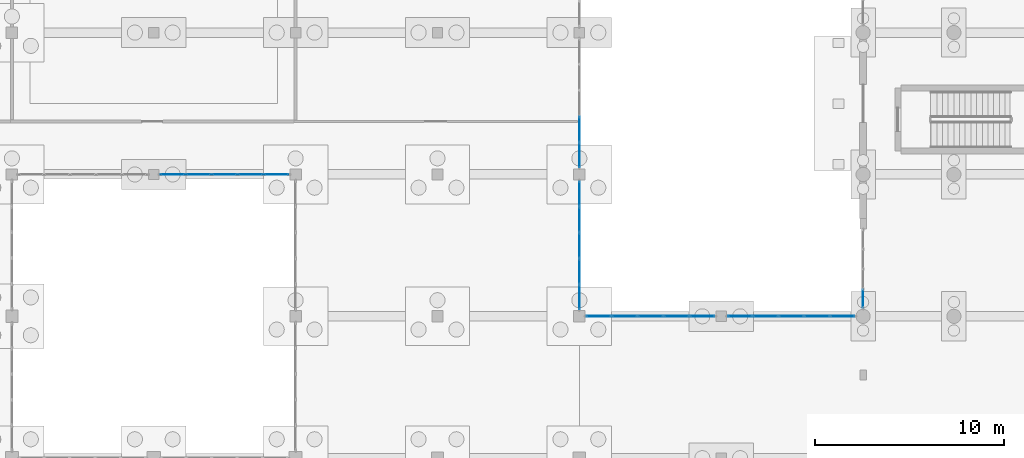
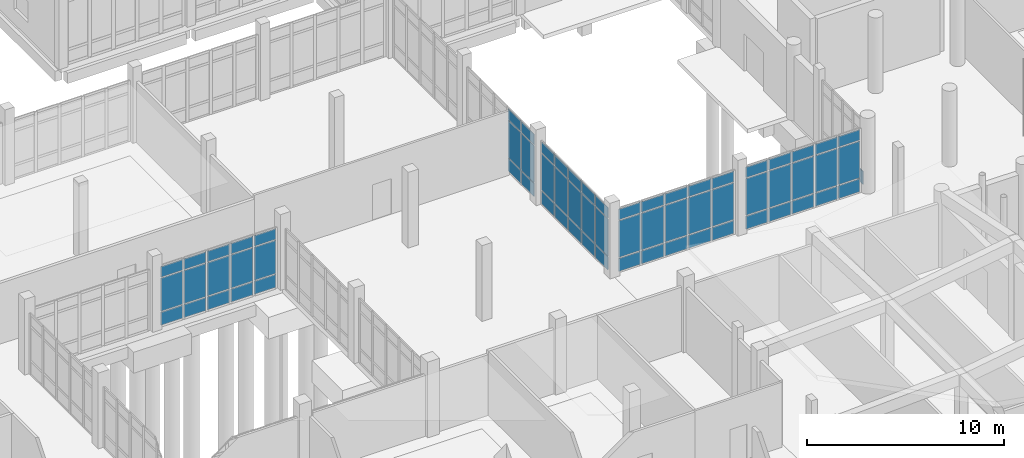
# One storey, part 129 of 173: 67 plates, 6 elements without a shape of their own.
"""IFC4 building model written with IfcOpenShell, lengths in metres."""

from ifc_helpers import new_model, si_unit, direction, frame, origin, origin_2d, place, context, subcontext, project, spatial, rectangle, extrude, material, layer, layer_set, type_object, element, aggregate, save


model = new_model("IFC4")

# Units and contexts
model_context = context("Model", 3, precision=1e-05, world=origin(), true_north=direction((0.0, 1.0)))
body_context = subcontext(model_context, "Body", "Model", "MODEL_VIEW")
ifc_project = project(units=[si_unit("LENGTHUNIT", "METRE"), si_unit("AREAUNIT", "SQUARE_METRE"), si_unit("VOLUMEUNIT", "CUBIC_METRE"), si_unit("PLANEANGLEUNIT", "RADIAN"), si_unit("MASSUNIT", "GRAM", prefix="KILO")], contexts=[model_context])

# Site, building, storey
site_placement = place(None, origin())
site = spatial("IfcSite", under=ifc_project, at=site_placement, CompositionType="ELEMENT")
building_placement = place(site_placement, origin())
building = spatial("IfcBuilding", under=site, at=building_placement, Name="Mawjan Specialist Oncology Clinic", CompositionType="ELEMENT")
storey_placement = place(building_placement, origin())
storey = spatial("IfcBuildingStorey", under=building, at=storey_placement, Name="L00", CompositionType="ELEMENT", Elevation=0.0)

# Curtain wall, plates
ifc_material_1 = material(Name="Unitised spectrally selective aluminium curtain wall", Category="aluminium")
ifc_layer_1 = layer(ifc_material_1, 0.179931640625, Name="Unitised spectrally selective aluminium curtain wall", Category="aluminium")
ifc_layer_set_1 = layer_set([ifc_layer_1], Name="Unitised spectrally selective aluminium curtain wall")
curtain_wall_type_1 = type_object("IfcCurtainWallType", Name="CW-22", PredefinedType="NOTDEFINED", material=ifc_layer_set_1)
curtain_wall_1_placement = place(storey_placement, origin())
curtain_wall_1 = element("IfcCurtainWall", 1, at=curtain_wall_1_placement, inside=storey, type_object=curtain_wall_type_1, Name="L00 Unitised Curtain Wall CW-L00-039", PredefinedType="NOTDEFINED")
ifc_material_2 = material(Name="Spectrally selective double low-E glazing", Category="glass")
ifc_layer_2 = layer(ifc_material_2, 0.035888671875, Name="Spectrally selective double low-E glazing", Category="glass")
ifc_layer_set_2 = layer_set([ifc_layer_2], Name="Spectrally selective double low-E glazing")
plate_type = type_object("IfcPlateType", Name="CW-P36", PredefinedType="CURTAIN_PANEL", material=ifc_layer_set_2)
plate_1_placement = place(storey_placement, frame((46.024658203125, 53.300048828125, 0.06494140625), z_axis=(0.0, 0.0, 1.0), x_axis=(1.0, 0.0, 0.0)))
plate_1 = element("IfcPlate", 2, at=plate_1_placement, type_object=plate_type, Name="CW-22 panel 1.1", PredefinedType="CURTAIN_PANEL", context=body_context, shape_type="SweptSolid", body=[
    extrude(rectangle(XDim=1.279541015625, YDim=0.035888671875, at=origin_2d()), origin(), (0.0, 0.0, 1.0), 0.802490234375),
])
plate_2_placement = place(storey_placement, frame((46.024658203125, 53.300048828125, 0.932373046875), z_axis=(0.0, 0.0, 1.0), x_axis=(1.0, 0.0, 0.0)))
plate_2 = element("IfcPlate", 3, at=plate_2_placement, type_object=plate_type, Name="CW-22 panel 1.2", PredefinedType="CURTAIN_PANEL", context=body_context, shape_type="SweptSolid", body=[
    extrude(rectangle(XDim=1.279541015625, YDim=0.035888671875, at=origin_2d()), origin(), (0.0, 0.0, 1.0), 2.27001953125),
])
plate_3_placement = place(storey_placement, frame((46.024658203125, 53.300048828125, 3.267578125), z_axis=(0.0, 0.0, 1.0), x_axis=(1.0, 0.0, 0.0)))
plate_3 = element("IfcPlate", 4, at=plate_3_placement, type_object=plate_type, Name="CW-22 panel 1.3", PredefinedType="CURTAIN_PANEL", context=body_context, shape_type="SweptSolid", body=[
    extrude(rectangle(XDim=1.279541015625, YDim=0.035888671875, at=origin_2d()), origin(), (0.0, 0.0, 1.0), 0.652587890625),
])
plate_4_placement = place(storey_placement, frame((47.385498046875, 53.300048828125, 0.06494140625), z_axis=(0.0, 0.0, 1.0), x_axis=(1.0, 0.0, 0.0)))
plate_4 = element("IfcPlate", 5, at=plate_4_placement, type_object=plate_type, Name="CW-22 panel 2.1", PredefinedType="CURTAIN_PANEL", context=body_context, shape_type="SweptSolid", body=[
    extrude(rectangle(XDim=1.31201171875, YDim=0.035888671875, at=origin_2d()), origin(), (0.0, 0.0, 1.0), 0.802490234375),
])
plate_5_placement = place(storey_placement, frame((47.385498046875, 53.300048828125, 0.932373046875), z_axis=(0.0, 0.0, 1.0), x_axis=(1.0, 0.0, 0.0)))
plate_5 = element("IfcPlate", 6, at=plate_5_placement, type_object=plate_type, Name="CW-22 panel 2.2", PredefinedType="CURTAIN_PANEL", context=body_context, shape_type="SweptSolid", body=[
    extrude(rectangle(XDim=1.31201171875, YDim=0.035888671875, at=origin_2d()), origin(), (0.0, 0.0, 1.0), 2.27001953125),
])
plate_6_placement = place(storey_placement, frame((47.385498046875, 53.300048828125, 3.267578125), z_axis=(0.0, 0.0, 1.0), x_axis=(1.0, 0.0, 0.0)))
plate_6 = element("IfcPlate", 7, at=plate_6_placement, type_object=plate_type, Name="CW-22 panel 2.3", PredefinedType="CURTAIN_PANEL", context=body_context, shape_type="SweptSolid", body=[
    extrude(rectangle(XDim=1.31201171875, YDim=0.035888671875, at=origin_2d()), origin(), (0.0, 0.0, 1.0), 0.652587890625),
])
plate_7_placement = place(storey_placement, frame((48.762451171875, 53.300048828125, 0.06494140625), z_axis=(0.0, 0.0, 1.0), x_axis=(1.0, 0.0, 0.0)))
plate_7 = element("IfcPlate", 8, at=plate_7_placement, type_object=plate_type, Name="CW-22 panel 3.1", PredefinedType="CURTAIN_PANEL", context=body_context, shape_type="SweptSolid", body=[
    extrude(rectangle(XDim=1.31201171875, YDim=0.035888671875, at=origin_2d()), origin(), (0.0, 0.0, 1.0), 0.802490234375),
])
plate_8_placement = place(storey_placement, frame((48.762451171875, 53.300048828125, 0.932373046875), z_axis=(0.0, 0.0, 1.0), x_axis=(1.0, 0.0, 0.0)))
plate_8 = element("IfcPlate", 9, at=plate_8_placement, type_object=plate_type, Name="CW-22 panel 3.2", PredefinedType="CURTAIN_PANEL", context=body_context, shape_type="SweptSolid", body=[
    extrude(rectangle(XDim=1.31201171875, YDim=0.035888671875, at=origin_2d()), origin(), (0.0, 0.0, 1.0), 2.27001953125),
])
plate_9_placement = place(storey_placement, frame((48.762451171875, 53.300048828125, 3.267578125), z_axis=(0.0, 0.0, 1.0), x_axis=(1.0, 0.0, 0.0)))
plate_9 = element("IfcPlate", 10, at=plate_9_placement, type_object=plate_type, Name="CW-22 panel 3.3", PredefinedType="CURTAIN_PANEL", context=body_context, shape_type="SweptSolid", body=[
    extrude(rectangle(XDim=1.31201171875, YDim=0.035888671875, at=origin_2d()), origin(), (0.0, 0.0, 1.0), 0.652587890625),
])
plate_10_placement = place(storey_placement, frame((50.139404296875, 53.300048828125, 0.06494140625), z_axis=(0.0, 0.0, 1.0), x_axis=(1.0, 0.0, 0.0)))
plate_10 = element("IfcPlate", 11, at=plate_10_placement, type_object=plate_type, Name="CW-22 panel 4.1", PredefinedType="CURTAIN_PANEL", context=body_context, shape_type="SweptSolid", body=[
    extrude(rectangle(XDim=1.31201171875, YDim=0.035888671875, at=origin_2d()), origin(), (0.0, 0.0, 1.0), 0.802490234375),
])
plate_11_placement = place(storey_placement, frame((50.139404296875, 53.300048828125, 0.932373046875), z_axis=(0.0, 0.0, 1.0), x_axis=(1.0, 0.0, 0.0)))
plate_11 = element("IfcPlate", 12, at=plate_11_placement, type_object=plate_type, Name="CW-22 panel 4.2", PredefinedType="CURTAIN_PANEL", context=body_context, shape_type="SweptSolid", body=[
    extrude(rectangle(XDim=1.31201171875, YDim=0.035888671875, at=origin_2d()), origin(), (0.0, 0.0, 1.0), 2.27001953125),
])
plate_12_placement = place(storey_placement, frame((50.139404296875, 53.300048828125, 3.267578125), z_axis=(0.0, 0.0, 1.0), x_axis=(1.0, 0.0, 0.0)))
plate_12 = element("IfcPlate", 13, at=plate_12_placement, type_object=plate_type, Name="CW-22 panel 4.3", PredefinedType="CURTAIN_PANEL", context=body_context, shape_type="SweptSolid", body=[
    extrude(rectangle(XDim=1.31201171875, YDim=0.035888671875, at=origin_2d()), origin(), (0.0, 0.0, 1.0), 0.652587890625),
])
plate_13_placement = place(storey_placement, frame((51.500244140625, 53.300048828125, 0.06494140625), z_axis=(0.0, 0.0, 1.0), x_axis=(1.0, 0.0, 0.0)))
plate_13 = element("IfcPlate", 14, at=plate_13_placement, type_object=plate_type, Name="CW-22 panel 5.1", PredefinedType="CURTAIN_PANEL", context=body_context, shape_type="SweptSolid", body=[
    extrude(rectangle(XDim=1.279541015625, YDim=0.035888671875, at=origin_2d()), origin(), (0.0, 0.0, 1.0), 0.802490234375),
])
plate_14_placement = place(storey_placement, frame((51.500244140625, 53.300048828125, 0.932373046875), z_axis=(0.0, 0.0, 1.0), x_axis=(1.0, 0.0, 0.0)))
plate_14 = element("IfcPlate", 15, at=plate_14_placement, type_object=plate_type, Name="CW-22 panel 5.2", PredefinedType="CURTAIN_PANEL", context=body_context, shape_type="SweptSolid", body=[
    extrude(rectangle(XDim=1.279541015625, YDim=0.035888671875, at=origin_2d()), origin(), (0.0, 0.0, 1.0), 2.27001953125),
])
plate_15_placement = place(storey_placement, frame((51.500244140625, 53.300048828125, 3.267578125), z_axis=(0.0, 0.0, 1.0), x_axis=(1.0, 0.0, 0.0)))
plate_15 = element("IfcPlate", 16, at=plate_15_placement, type_object=plate_type, Name="CW-22 panel 5.3", PredefinedType="CURTAIN_PANEL", context=body_context, shape_type="SweptSolid", body=[
    extrude(rectangle(XDim=1.279541015625, YDim=0.035888671875, at=origin_2d()), origin(), (0.0, 0.0, 1.0), 0.652587890625),
])
aggregate(curtain_wall_1, [plate_1, plate_2, plate_3, plate_4, plate_5, plate_6, plate_7, plate_8, plate_9, plate_10, plate_11, plate_12, plate_13, plate_14, plate_15])

ifc_material_3 = material(Name="Unitised spectrally selective aluminium curtain wall", Category="aluminium")
ifc_layer_3 = layer(ifc_material_3, 0.179931640625, Name="Unitised spectrally selective aluminium curtain wall", Category="aluminium")
ifc_layer_set_3 = layer_set([ifc_layer_3], Name="Unitised spectrally selective aluminium curtain wall")
curtain_wall_type_2 = type_object("IfcCurtainWallType", Name="CW-01", PredefinedType="NOTDEFINED", material=ifc_layer_set_3)
curtain_wall_2_placement = place(storey_placement, origin())
curtain_wall_2 = element("IfcCurtainWall", 17, at=curtain_wall_2_placement, inside=storey, type_object=curtain_wall_type_2, Name="L00 Unitised Curtain Wall CW-L00-040", PredefinedType="NOTDEFINED")
plate_16_placement = place(storey_placement, frame((53.4921875, 53.300048828125, 0.06494140625), z_axis=(0.0, 0.0, 1.0), x_axis=(1.0, 0.0, 0.0)))
plate_16 = element("IfcPlate", 18, at=plate_16_placement, type_object=plate_type, Name="CW-01 panel 1.1", PredefinedType="CURTAIN_PANEL", context=body_context, shape_type="SweptSolid", body=[
    extrude(rectangle(XDim=1.264404296875, YDim=0.035888671875, at=origin_2d()), origin(), (0.0, 0.0, 1.0), 0.802490234375),
])
plate_17_placement = place(storey_placement, frame((53.4921875, 53.300048828125, 0.932373046875), z_axis=(0.0, 0.0, 1.0), x_axis=(1.0, 0.0, 0.0)))
plate_17 = element("IfcPlate", 19, at=plate_17_placement, type_object=plate_type, Name="CW-01 panel 1.2", PredefinedType="CURTAIN_PANEL", context=body_context, shape_type="SweptSolid", body=[
    extrude(rectangle(XDim=1.264404296875, YDim=0.035888671875, at=origin_2d()), origin(), (0.0, 0.0, 1.0), 2.27001953125),
])
plate_18_placement = place(storey_placement, frame((53.4921875, 53.300048828125, 3.267578125), z_axis=(0.0, 0.0, 1.0), x_axis=(1.0, 0.0, 0.0)))
plate_18 = element("IfcPlate", 20, at=plate_18_placement, type_object=plate_type, Name="CW-01 panel 1.3", PredefinedType="CURTAIN_PANEL", context=body_context, shape_type="SweptSolid", body=[
    extrude(rectangle(XDim=1.264404296875, YDim=0.035888671875, at=origin_2d()), origin(), (0.0, 0.0, 1.0), 0.652587890625),
])
plate_19_placement = place(storey_placement, frame((54.837890625, 53.300048828125, 0.06494140625), z_axis=(0.0, 0.0, 1.0), x_axis=(1.0, 0.0, 0.0)))
plate_19 = element("IfcPlate", 21, at=plate_19_placement, type_object=plate_type, Name="CW-01 panel 2.1", PredefinedType="CURTAIN_PANEL", context=body_context, shape_type="SweptSolid", body=[
    extrude(rectangle(XDim=1.297119140625, YDim=0.035888671875, at=origin_2d()), origin(), (0.0, 0.0, 1.0), 0.802490234375),
])
plate_20_placement = place(storey_placement, frame((54.837890625, 53.300048828125, 0.932373046875), z_axis=(0.0, 0.0, 1.0), x_axis=(1.0, 0.0, 0.0)))
plate_20 = element("IfcPlate", 22, at=plate_20_placement, type_object=plate_type, Name="CW-01 panel 2.2", PredefinedType="CURTAIN_PANEL", context=body_context, shape_type="SweptSolid", body=[
    extrude(rectangle(XDim=1.297119140625, YDim=0.035888671875, at=origin_2d()), origin(), (0.0, 0.0, 1.0), 2.27001953125),
])
plate_21_placement = place(storey_placement, frame((54.837890625, 53.300048828125, 3.267578125), z_axis=(0.0, 0.0, 1.0), x_axis=(1.0, 0.0, 0.0)))
plate_21 = element("IfcPlate", 23, at=plate_21_placement, type_object=plate_type, Name="CW-01 panel 2.3", PredefinedType="CURTAIN_PANEL", context=body_context, shape_type="SweptSolid", body=[
    extrude(rectangle(XDim=1.297119140625, YDim=0.035888671875, at=origin_2d()), origin(), (0.0, 0.0, 1.0), 0.652587890625),
])
plate_22_placement = place(storey_placement, frame((56.199951171875, 53.300048828125, 0.06494140625), z_axis=(0.0, 0.0, 1.0), x_axis=(1.0, 0.0, 0.0)))
plate_22 = element("IfcPlate", 24, at=plate_22_placement, type_object=plate_type, Name="CW-01 panel 3.1", PredefinedType="CURTAIN_PANEL", context=body_context, shape_type="SweptSolid", body=[
    extrude(rectangle(XDim=1.297119140625, YDim=0.035888671875, at=origin_2d()), origin(), (0.0, 0.0, 1.0), 0.802490234375),
])
plate_23_placement = place(storey_placement, frame((56.199951171875, 53.300048828125, 0.932373046875), z_axis=(0.0, 0.0, 1.0), x_axis=(1.0, 0.0, 0.0)))
plate_23 = element("IfcPlate", 25, at=plate_23_placement, type_object=plate_type, Name="CW-01 panel 3.2", PredefinedType="CURTAIN_PANEL", context=body_context, shape_type="SweptSolid", body=[
    extrude(rectangle(XDim=1.297119140625, YDim=0.035888671875, at=origin_2d()), origin(), (0.0, 0.0, 1.0), 2.27001953125),
])
plate_24_placement = place(storey_placement, frame((56.199951171875, 53.300048828125, 3.267578125), z_axis=(0.0, 0.0, 1.0), x_axis=(1.0, 0.0, 0.0)))
plate_24 = element("IfcPlate", 26, at=plate_24_placement, type_object=plate_type, Name="CW-01 panel 3.3", PredefinedType="CURTAIN_PANEL", context=body_context, shape_type="SweptSolid", body=[
    extrude(rectangle(XDim=1.297119140625, YDim=0.035888671875, at=origin_2d()), origin(), (0.0, 0.0, 1.0), 0.652587890625),
])
plate_25_placement = place(storey_placement, frame((57.56201171875, 53.300048828125, 0.06494140625), z_axis=(0.0, 0.0, 1.0), x_axis=(1.0, 0.0, 0.0)))
plate_25 = element("IfcPlate", 27, at=plate_25_placement, type_object=plate_type, Name="CW-01 panel 4.1", PredefinedType="CURTAIN_PANEL", context=body_context, shape_type="SweptSolid", body=[
    extrude(rectangle(XDim=1.297119140625, YDim=0.035888671875, at=origin_2d()), origin(), (0.0, 0.0, 1.0), 0.802490234375),
])
plate_26_placement = place(storey_placement, frame((57.56201171875, 53.300048828125, 0.932373046875), z_axis=(0.0, 0.0, 1.0), x_axis=(1.0, 0.0, 0.0)))
plate_26 = element("IfcPlate", 28, at=plate_26_placement, type_object=plate_type, Name="CW-01 panel 4.2", PredefinedType="CURTAIN_PANEL", context=body_context, shape_type="SweptSolid", body=[
    extrude(rectangle(XDim=1.297119140625, YDim=0.035888671875, at=origin_2d()), origin(), (0.0, 0.0, 1.0), 2.27001953125),
])
plate_27_placement = place(storey_placement, frame((57.56201171875, 53.300048828125, 3.267578125), z_axis=(0.0, 0.0, 1.0), x_axis=(1.0, 0.0, 0.0)))
plate_27 = element("IfcPlate", 29, at=plate_27_placement, type_object=plate_type, Name="CW-01 panel 4.3", PredefinedType="CURTAIN_PANEL", context=body_context, shape_type="SweptSolid", body=[
    extrude(rectangle(XDim=1.297119140625, YDim=0.035888671875, at=origin_2d()), origin(), (0.0, 0.0, 1.0), 0.652587890625),
])
plate_28_placement = place(storey_placement, frame((58.90771484375, 53.300048828125, 0.06494140625), z_axis=(0.0, 0.0, 1.0), x_axis=(1.0, 0.0, 0.0)))
plate_28 = element("IfcPlate", 30, at=plate_28_placement, type_object=plate_type, Name="CW-01 panel 5.1", PredefinedType="CURTAIN_PANEL", context=body_context, shape_type="SweptSolid", body=[
    extrude(rectangle(XDim=1.264404296875, YDim=0.035888671875, at=origin_2d()), origin(), (0.0, 0.0, 1.0), 0.802490234375),
])
plate_29_placement = place(storey_placement, frame((58.90771484375, 53.300048828125, 0.932373046875), z_axis=(0.0, 0.0, 1.0), x_axis=(1.0, 0.0, 0.0)))
plate_29 = element("IfcPlate", 31, at=plate_29_placement, type_object=plate_type, Name="CW-01 panel 5.2", PredefinedType="CURTAIN_PANEL", context=body_context, shape_type="SweptSolid", body=[
    extrude(rectangle(XDim=1.264404296875, YDim=0.035888671875, at=origin_2d()), origin(), (0.0, 0.0, 1.0), 2.27001953125),
])
plate_30_placement = place(storey_placement, frame((58.90771484375, 53.300048828125, 3.267578125), z_axis=(0.0, 0.0, 1.0), x_axis=(1.0, 0.0, 0.0)))
plate_30 = element("IfcPlate", 32, at=plate_30_placement, type_object=plate_type, Name="CW-01 panel 5.3", PredefinedType="CURTAIN_PANEL", context=body_context, shape_type="SweptSolid", body=[
    extrude(rectangle(XDim=1.264404296875, YDim=0.035888671875, at=origin_2d()), origin(), (0.0, 0.0, 1.0), 0.652587890625),
])
aggregate(curtain_wall_2, [plate_16, plate_17, plate_18, plate_19, plate_20, plate_21, plate_22, plate_23, plate_24, plate_25, plate_26, plate_27, plate_28, plate_29, plate_30])

# Curtain wall, plate
ifc_material_4 = material(Name="Unitised spectrally selective aluminium curtain wall", Category="aluminium")
ifc_layer_4 = layer(ifc_material_4, 0.179931640625, Name="Unitised spectrally selective aluminium curtain wall", Category="aluminium")
ifc_layer_set_4 = layer_set([ifc_layer_4], Name="Unitised spectrally selective aluminium curtain wall")
curtain_wall_type_3 = type_object("IfcCurtainWallType", Name="CW-23", PredefinedType="NOTDEFINED", material=ifc_layer_set_4)
curtain_wall_3_placement = place(storey_placement, origin())
curtain_wall_3 = element("IfcCurtainWall", 33, at=curtain_wall_3_placement, inside=storey, type_object=curtain_wall_type_3, Name="L00 Unitised Curtain Wall CW-L00-041", PredefinedType="NOTDEFINED")
plate_31_placement = place(storey_placement, frame((60.0, 54.236328125, 0.06005859375), z_axis=(0.0, 0.0, 1.0), x_axis=(0.0, 1.0, 0.0)))
plate_31 = element("IfcPlate", 34, at=plate_31_placement, type_object=plate_type, Name="CW-23 panel 1.1", PredefinedType="CURTAIN_PANEL", context=body_context, shape_type="SweptSolid", body=[
    extrude(rectangle(XDim=0.96240234375, YDim=0.035888671875, at=origin_2d()), origin(), (0.0, 0.0, 1.0), 0.81005859375),
])
aggregate(curtain_wall_3, [plate_31])

# Curtain wall, plates
curtain_wall_4_placement = place(storey_placement, origin())
curtain_wall_4 = element("IfcCurtainWall", 35, at=curtain_wall_4_placement, inside=storey, type_object=curtain_wall_type_1, Name="L00 Unitised Curtain Wall CW-L00-046", PredefinedType="NOTDEFINED")
plate_32_placement = place(storey_placement, frame((45.0, 63.185546875, 0.06494140625), z_axis=(0.0, 0.0, 1.0), x_axis=(0.0, -1.0, 0.0)))
plate_32 = element("IfcPlate", 36, at=plate_32_placement, type_object=plate_type, Name="CW-22 panel 4.1", PredefinedType="CURTAIN_PANEL", context=body_context, shape_type="SweptSolid", body=[
    extrude(rectangle(XDim=1.31201171875, YDim=0.035888671875, at=origin_2d()), origin(), (0.0, 0.0, 1.0), 0.802490234375),
])
plate_33_placement = place(storey_placement, frame((45.0, 63.185546875, 0.932373046875), z_axis=(0.0, 0.0, 1.0), x_axis=(0.0, -1.0, 0.0)))
plate_33 = element("IfcPlate", 37, at=plate_33_placement, type_object=plate_type, Name="CW-22 panel 4.2", PredefinedType="CURTAIN_PANEL", context=body_context, shape_type="SweptSolid", body=[
    extrude(rectangle(XDim=1.31201171875, YDim=0.035888671875, at=origin_2d()), origin(), (0.0, 0.0, 1.0), 2.27001953125),
])
plate_34_placement = place(storey_placement, frame((45.0, 63.185546875, 3.267578125), z_axis=(0.0, 0.0, 1.0), x_axis=(0.0, -1.0, 0.0)))
plate_34 = element("IfcPlate", 38, at=plate_34_placement, type_object=plate_type, Name="CW-22 panel 4.3", PredefinedType="CURTAIN_PANEL", context=body_context, shape_type="SweptSolid", body=[
    extrude(rectangle(XDim=1.31201171875, YDim=0.035888671875, at=origin_2d()), origin(), (0.0, 0.0, 1.0), 0.652587890625),
])
plate_35_placement = place(storey_placement, frame((45.0, 61.82470703125, 0.06494140625), z_axis=(0.0, 0.0, 1.0), x_axis=(0.0, -1.0, 0.0)))
plate_35 = element("IfcPlate", 39, at=plate_35_placement, type_object=plate_type, Name="CW-22 panel 5.1", PredefinedType="CURTAIN_PANEL", context=body_context, shape_type="SweptSolid", body=[
    extrude(rectangle(XDim=1.279541015625, YDim=0.035888671875, at=origin_2d()), origin(), (0.0, 0.0, 1.0), 0.802490234375),
])
plate_36_placement = place(storey_placement, frame((45.0, 61.82470703125, 0.932373046875), z_axis=(0.0, 0.0, 1.0), x_axis=(0.0, -1.0, 0.0)))
plate_36 = element("IfcPlate", 40, at=plate_36_placement, type_object=plate_type, Name="CW-22 panel 5.2", PredefinedType="CURTAIN_PANEL", context=body_context, shape_type="SweptSolid", body=[
    extrude(rectangle(XDim=1.279541015625, YDim=0.035888671875, at=origin_2d()), origin(), (0.0, 0.0, 1.0), 2.27001953125),
])
plate_37_placement = place(storey_placement, frame((45.0, 61.82470703125, 3.267578125), z_axis=(0.0, 0.0, 1.0), x_axis=(0.0, -1.0, 0.0)))
plate_37 = element("IfcPlate", 41, at=plate_37_placement, type_object=plate_type, Name="CW-22 panel 5.3", PredefinedType="CURTAIN_PANEL", context=body_context, shape_type="SweptSolid", body=[
    extrude(rectangle(XDim=1.279541015625, YDim=0.035888671875, at=origin_2d()), origin(), (0.0, 0.0, 1.0), 0.652587890625),
])
aggregate(curtain_wall_4, [plate_32, plate_33, plate_34, plate_35, plate_36, plate_37])

ifc_material_5 = material(Name="Unitised spectrally selective aluminium curtain wall", Category="aluminium")
ifc_layer_5 = layer(ifc_material_5, 0.179931640625, Name="Unitised spectrally selective aluminium curtain wall", Category="aluminium")
ifc_layer_set_5 = layer_set([ifc_layer_5], Name="Unitised spectrally selective aluminium curtain wall")
curtain_wall_type_4 = type_object("IfcCurtainWallType", Name="CW-27", PredefinedType="NOTDEFINED", material=ifc_layer_set_5)
curtain_wall_5_placement = place(storey_placement, origin())
curtain_wall_5 = element("IfcCurtainWall", 42, at=curtain_wall_5_placement, inside=storey, type_object=curtain_wall_type_4, Name="L00 Unitised Curtain Wall CW-L00-047", PredefinedType="NOTDEFINED")
plate_38_placement = place(storey_placement, frame((45.0, 59.77783203125, 0.06494140625), z_axis=(0.0, 0.0, 1.0), x_axis=(0.0, -1.0, 0.0)))
plate_38 = element("IfcPlate", 43, at=plate_38_placement, type_object=plate_type, Name="CW-27 panel 1.1", PredefinedType="CURTAIN_PANEL", context=body_context, shape_type="SweptSolid", body=[
    extrude(rectangle(XDim=1.2744140625, YDim=0.035888671875, at=origin_2d()), origin(), (0.0, 0.0, 1.0), 0.802490234375),
])
plate_39_placement = place(storey_placement, frame((45.0, 59.77783203125, 0.932373046875), z_axis=(0.0, 0.0, 1.0), x_axis=(0.0, -1.0, 0.0)))
plate_39 = element("IfcPlate", 44, at=plate_39_placement, type_object=plate_type, Name="CW-27 panel 1.2", PredefinedType="CURTAIN_PANEL", context=body_context, shape_type="SweptSolid", body=[
    extrude(rectangle(XDim=1.2744140625, YDim=0.035888671875, at=origin_2d()), origin(), (0.0, 0.0, 1.0), 2.27001953125),
])
plate_40_placement = place(storey_placement, frame((45.0, 59.77783203125, 3.267578125), z_axis=(0.0, 0.0, 1.0), x_axis=(0.0, -1.0, 0.0)))
plate_40 = element("IfcPlate", 45, at=plate_40_placement, type_object=plate_type, Name="CW-27 panel 1.3", PredefinedType="CURTAIN_PANEL", context=body_context, shape_type="SweptSolid", body=[
    extrude(rectangle(XDim=1.2744140625, YDim=0.035888671875, at=origin_2d()), origin(), (0.0, 0.0, 1.0), 0.652587890625),
])
plate_41_placement = place(storey_placement, frame((45.0, 58.422119140625, 0.06494140625), z_axis=(0.0, 0.0, 1.0), x_axis=(0.0, -1.0, 0.0)))
plate_41 = element("IfcPlate", 46, at=plate_41_placement, type_object=plate_type, Name="CW-27 panel 2.1", PredefinedType="CURTAIN_PANEL", context=body_context, shape_type="SweptSolid", body=[
    extrude(rectangle(XDim=1.306884765625, YDim=0.035888671875, at=origin_2d()), origin(), (0.0, 0.0, 1.0), 0.802490234375),
])
plate_42_placement = place(storey_placement, frame((45.0, 58.422119140625, 0.932373046875), z_axis=(0.0, 0.0, 1.0), x_axis=(0.0, -1.0, 0.0)))
plate_42 = element("IfcPlate", 47, at=plate_42_placement, type_object=plate_type, Name="CW-27 panel 2.2", PredefinedType="CURTAIN_PANEL", context=body_context, shape_type="SweptSolid", body=[
    extrude(rectangle(XDim=1.306884765625, YDim=0.035888671875, at=origin_2d()), origin(), (0.0, 0.0, 1.0), 2.27001953125),
])
plate_43_placement = place(storey_placement, frame((45.0, 58.422119140625, 3.267578125), z_axis=(0.0, 0.0, 1.0), x_axis=(0.0, -1.0, 0.0)))
plate_43 = element("IfcPlate", 48, at=plate_43_placement, type_object=plate_type, Name="CW-27 panel 2.3", PredefinedType="CURTAIN_PANEL", context=body_context, shape_type="SweptSolid", body=[
    extrude(rectangle(XDim=1.306884765625, YDim=0.035888671875, at=origin_2d()), origin(), (0.0, 0.0, 1.0), 0.652587890625),
])
plate_44_placement = place(storey_placement, frame((45.0, 57.050048828125, 0.06494140625), z_axis=(0.0, 0.0, 1.0), x_axis=(0.0, -1.0, 0.0)))
plate_44 = element("IfcPlate", 49, at=plate_44_placement, type_object=plate_type, Name="CW-27 panel 3.1", PredefinedType="CURTAIN_PANEL", context=body_context, shape_type="SweptSolid", body=[
    extrude(rectangle(XDim=1.306884765625, YDim=0.035888671875, at=origin_2d()), origin(), (0.0, 0.0, 1.0), 0.802490234375),
])
plate_45_placement = place(storey_placement, frame((45.0, 57.050048828125, 0.932373046875), z_axis=(0.0, 0.0, 1.0), x_axis=(0.0, -1.0, 0.0)))
plate_45 = element("IfcPlate", 50, at=plate_45_placement, type_object=plate_type, Name="CW-27 panel 3.2", PredefinedType="CURTAIN_PANEL", context=body_context, shape_type="SweptSolid", body=[
    extrude(rectangle(XDim=1.306884765625, YDim=0.035888671875, at=origin_2d()), origin(), (0.0, 0.0, 1.0), 2.27001953125),
])
plate_46_placement = place(storey_placement, frame((45.0, 57.050048828125, 3.267578125), z_axis=(0.0, 0.0, 1.0), x_axis=(0.0, -1.0, 0.0)))
plate_46 = element("IfcPlate", 51, at=plate_46_placement, type_object=plate_type, Name="CW-27 panel 3.3", PredefinedType="CURTAIN_PANEL", context=body_context, shape_type="SweptSolid", body=[
    extrude(rectangle(XDim=1.306884765625, YDim=0.035888671875, at=origin_2d()), origin(), (0.0, 0.0, 1.0), 0.652587890625),
])
plate_47_placement = place(storey_placement, frame((45.0, 55.677978515625, 0.06494140625), z_axis=(0.0, 0.0, 1.0), x_axis=(0.0, -1.0, 0.0)))
plate_47 = element("IfcPlate", 52, at=plate_47_placement, type_object=plate_type, Name="CW-27 panel 4.1", PredefinedType="CURTAIN_PANEL", context=body_context, shape_type="SweptSolid", body=[
    extrude(rectangle(XDim=1.306884765625, YDim=0.035888671875, at=origin_2d()), origin(), (0.0, 0.0, 1.0), 0.802490234375),
])
plate_48_placement = place(storey_placement, frame((45.0, 55.677978515625, 0.932373046875), z_axis=(0.0, 0.0, 1.0), x_axis=(0.0, -1.0, 0.0)))
plate_48 = element("IfcPlate", 53, at=plate_48_placement, type_object=plate_type, Name="CW-27 panel 4.2", PredefinedType="CURTAIN_PANEL", context=body_context, shape_type="SweptSolid", body=[
    extrude(rectangle(XDim=1.306884765625, YDim=0.035888671875, at=origin_2d()), origin(), (0.0, 0.0, 1.0), 2.27001953125),
])
plate_49_placement = place(storey_placement, frame((45.0, 55.677978515625, 3.267578125), z_axis=(0.0, 0.0, 1.0), x_axis=(0.0, -1.0, 0.0)))
plate_49 = element("IfcPlate", 54, at=plate_49_placement, type_object=plate_type, Name="CW-27 panel 4.3", PredefinedType="CURTAIN_PANEL", context=body_context, shape_type="SweptSolid", body=[
    extrude(rectangle(XDim=1.306884765625, YDim=0.035888671875, at=origin_2d()), origin(), (0.0, 0.0, 1.0), 0.652587890625),
])
plate_50_placement = place(storey_placement, frame((45.0, 54.322265625, 0.06494140625), z_axis=(0.0, 0.0, 1.0), x_axis=(0.0, -1.0, 0.0)))
plate_50 = element("IfcPlate", 55, at=plate_50_placement, type_object=plate_type, Name="CW-27 panel 5.1", PredefinedType="CURTAIN_PANEL", context=body_context, shape_type="SweptSolid", body=[
    extrude(rectangle(XDim=1.2744140625, YDim=0.035888671875, at=origin_2d()), origin(), (0.0, 0.0, 1.0), 0.802490234375),
])
plate_51_placement = place(storey_placement, frame((45.0, 54.322265625, 0.932373046875), z_axis=(0.0, 0.0, 1.0), x_axis=(0.0, -1.0, 0.0)))
plate_51 = element("IfcPlate", 56, at=plate_51_placement, type_object=plate_type, Name="CW-27 panel 5.2", PredefinedType="CURTAIN_PANEL", context=body_context, shape_type="SweptSolid", body=[
    extrude(rectangle(XDim=1.2744140625, YDim=0.035888671875, at=origin_2d()), origin(), (0.0, 0.0, 1.0), 2.27001953125),
])
plate_52_placement = place(storey_placement, frame((45.0, 54.322265625, 3.267578125), z_axis=(0.0, 0.0, 1.0), x_axis=(0.0, -1.0, 0.0)))
plate_52 = element("IfcPlate", 57, at=plate_52_placement, type_object=plate_type, Name="CW-27 panel 5.3", PredefinedType="CURTAIN_PANEL", context=body_context, shape_type="SweptSolid", body=[
    extrude(rectangle(XDim=1.2744140625, YDim=0.035888671875, at=origin_2d()), origin(), (0.0, 0.0, 1.0), 0.652587890625),
])
aggregate(curtain_wall_5, [plate_38, plate_39, plate_40, plate_41, plate_42, plate_43, plate_44, plate_45, plate_46, plate_47, plate_48, plate_49, plate_50, plate_51, plate_52])

ifc_material_6 = material(Name="Unitised spectrally selective aluminium curtain wall", Category="aluminium")
ifc_layer_6 = layer(ifc_material_6, 0.179931640625, Name="Unitised spectrally selective aluminium curtain wall", Category="aluminium")
ifc_layer_set_6 = layer_set([ifc_layer_6], Name="Unitised spectrally selective aluminium curtain wall")
curtain_wall_type_5 = type_object("IfcCurtainWallType", Name="CW-06", PredefinedType="NOTDEFINED", material=ifc_layer_set_6)
curtain_wall_6_placement = place(storey_placement, origin())
curtain_wall_6 = element("IfcCurtainWall", 58, at=curtain_wall_6_placement, inside=storey, type_object=curtain_wall_type_5, Name="L00 Unitised Curtain Wall CW-L00-060", PredefinedType="NOTDEFINED")
plate_53_placement = place(storey_placement, frame((28.975341796875, 60.800048828125, 0.06494140625), z_axis=(0.0, 0.0, 1.0), x_axis=(-1.0, 0.0, 0.0)))
plate_53 = element("IfcPlate", 59, at=plate_53_placement, type_object=plate_type, Name="CW-06 panel 1.1", PredefinedType="CURTAIN_PANEL", context=body_context, shape_type="SweptSolid", body=[
    extrude(rectangle(XDim=1.279541015625, YDim=0.035888671875, at=origin_2d()), origin(), (0.0, 0.0, 1.0), 0.802490234375),
])
plate_54_placement = place(storey_placement, frame((28.975341796875, 60.800048828125, 0.9326171875), z_axis=(0.0, 0.0, 1.0), x_axis=(-1.0, 0.0, 0.0)))
plate_54 = element("IfcPlate", 60, at=plate_54_placement, type_object=plate_type, Name="CW-06 panel 1.2", PredefinedType="CURTAIN_PANEL", context=body_context, shape_type="SweptSolid", body=[
    extrude(rectangle(XDim=1.279541015625, YDim=0.035888671875, at=origin_2d()), origin(), (0.0, 0.0, 1.0), 2.050048828125),
])
plate_55_placement = place(storey_placement, frame((28.975341796875, 60.800048828125, 3.04736328125), z_axis=(0.0, 0.0, 1.0), x_axis=(-1.0, 0.0, 0.0)))
plate_55 = element("IfcPlate", 61, at=plate_55_placement, type_object=plate_type, Name="CW-06 panel 1.3", PredefinedType="CURTAIN_PANEL", context=body_context, shape_type="SweptSolid", body=[
    extrude(rectangle(XDim=1.279541015625, YDim=0.035888671875, at=origin_2d()), origin(), (0.0, 0.0, 1.0), 0.652587890625),
])
plate_56_placement = place(storey_placement, frame((27.614501953125, 60.800048828125, 0.06494140625), z_axis=(0.0, 0.0, 1.0), x_axis=(-1.0, 0.0, 0.0)))
plate_56 = element("IfcPlate", 62, at=plate_56_placement, type_object=plate_type, Name="CW-06 panel 2.1", PredefinedType="CURTAIN_PANEL", context=body_context, shape_type="SweptSolid", body=[
    extrude(rectangle(XDim=1.31201171875, YDim=0.035888671875, at=origin_2d()), origin(), (0.0, 0.0, 1.0), 0.802490234375),
])
plate_57_placement = place(storey_placement, frame((27.614501953125, 60.800048828125, 0.9326171875), z_axis=(0.0, 0.0, 1.0), x_axis=(-1.0, 0.0, 0.0)))
plate_57 = element("IfcPlate", 63, at=plate_57_placement, type_object=plate_type, Name="CW-06 panel 2.2", PredefinedType="CURTAIN_PANEL", context=body_context, shape_type="SweptSolid", body=[
    extrude(rectangle(XDim=1.31201171875, YDim=0.035888671875, at=origin_2d()), origin(), (0.0, 0.0, 1.0), 2.050048828125),
])
plate_58_placement = place(storey_placement, frame((27.614501953125, 60.800048828125, 3.04736328125), z_axis=(0.0, 0.0, 1.0), x_axis=(-1.0, 0.0, 0.0)))
plate_58 = element("IfcPlate", 64, at=plate_58_placement, type_object=plate_type, Name="CW-06 panel 2.3", PredefinedType="CURTAIN_PANEL", context=body_context, shape_type="SweptSolid", body=[
    extrude(rectangle(XDim=1.31201171875, YDim=0.035888671875, at=origin_2d()), origin(), (0.0, 0.0, 1.0), 0.652587890625),
])
plate_59_placement = place(storey_placement, frame((26.237548828125, 60.800048828125, 0.06494140625), z_axis=(0.0, 0.0, 1.0), x_axis=(-1.0, 0.0, 0.0)))
plate_59 = element("IfcPlate", 65, at=plate_59_placement, type_object=plate_type, Name="CW-06 panel 3.1", PredefinedType="CURTAIN_PANEL", context=body_context, shape_type="SweptSolid", body=[
    extrude(rectangle(XDim=1.31201171875, YDim=0.035888671875, at=origin_2d()), origin(), (0.0, 0.0, 1.0), 0.802490234375),
])
plate_60_placement = place(storey_placement, frame((26.237548828125, 60.800048828125, 0.9326171875), z_axis=(0.0, 0.0, 1.0), x_axis=(-1.0, 0.0, 0.0)))
plate_60 = element("IfcPlate", 66, at=plate_60_placement, type_object=plate_type, Name="CW-06 panel 3.2", PredefinedType="CURTAIN_PANEL", context=body_context, shape_type="SweptSolid", body=[
    extrude(rectangle(XDim=1.31201171875, YDim=0.035888671875, at=origin_2d()), origin(), (0.0, 0.0, 1.0), 2.050048828125),
])
plate_61_placement = place(storey_placement, frame((26.237548828125, 60.800048828125, 3.04736328125), z_axis=(0.0, 0.0, 1.0), x_axis=(-1.0, 0.0, 0.0)))
plate_61 = element("IfcPlate", 67, at=plate_61_placement, type_object=plate_type, Name="CW-06 panel 3.3", PredefinedType="CURTAIN_PANEL", context=body_context, shape_type="SweptSolid", body=[
    extrude(rectangle(XDim=1.31201171875, YDim=0.035888671875, at=origin_2d()), origin(), (0.0, 0.0, 1.0), 0.652587890625),
])
plate_62_placement = place(storey_placement, frame((24.860595703125, 60.800048828125, 0.06494140625), z_axis=(0.0, 0.0, 1.0), x_axis=(-1.0, 0.0, 0.0)))
plate_62 = element("IfcPlate", 68, at=plate_62_placement, type_object=plate_type, Name="CW-06 panel 4.1", PredefinedType="CURTAIN_PANEL", context=body_context, shape_type="SweptSolid", body=[
    extrude(rectangle(XDim=1.31201171875, YDim=0.035888671875, at=origin_2d()), origin(), (0.0, 0.0, 1.0), 0.802490234375),
])
plate_63_placement = place(storey_placement, frame((24.860595703125, 60.800048828125, 0.9326171875), z_axis=(0.0, 0.0, 1.0), x_axis=(-1.0, 0.0, 0.0)))
plate_63 = element("IfcPlate", 69, at=plate_63_placement, type_object=plate_type, Name="CW-06 panel 4.2", PredefinedType="CURTAIN_PANEL", context=body_context, shape_type="SweptSolid", body=[
    extrude(rectangle(XDim=1.31201171875, YDim=0.035888671875, at=origin_2d()), origin(), (0.0, 0.0, 1.0), 2.050048828125),
])
plate_64_placement = place(storey_placement, frame((24.860595703125, 60.800048828125, 3.04736328125), z_axis=(0.0, 0.0, 1.0), x_axis=(-1.0, 0.0, 0.0)))
plate_64 = element("IfcPlate", 70, at=plate_64_placement, type_object=plate_type, Name="CW-06 panel 4.3", PredefinedType="CURTAIN_PANEL", context=body_context, shape_type="SweptSolid", body=[
    extrude(rectangle(XDim=1.31201171875, YDim=0.035888671875, at=origin_2d()), origin(), (0.0, 0.0, 1.0), 0.652587890625),
])
plate_65_placement = place(storey_placement, frame((23.499755859375, 60.800048828125, 0.06494140625), z_axis=(0.0, 0.0, 1.0), x_axis=(-1.0, 0.0, 0.0)))
plate_65 = element("IfcPlate", 71, at=plate_65_placement, type_object=plate_type, Name="CW-06 panel 5.1", PredefinedType="CURTAIN_PANEL", context=body_context, shape_type="SweptSolid", body=[
    extrude(rectangle(XDim=1.279541015625, YDim=0.035888671875, at=origin_2d()), origin(), (0.0, 0.0, 1.0), 0.802490234375),
])
plate_66_placement = place(storey_placement, frame((23.499755859375, 60.800048828125, 0.9326171875), z_axis=(0.0, 0.0, 1.0), x_axis=(-1.0, 0.0, 0.0)))
plate_66 = element("IfcPlate", 72, at=plate_66_placement, type_object=plate_type, Name="CW-06 panel 5.2", PredefinedType="CURTAIN_PANEL", context=body_context, shape_type="SweptSolid", body=[
    extrude(rectangle(XDim=1.279541015625, YDim=0.035888671875, at=origin_2d()), origin(), (0.0, 0.0, 1.0), 2.050048828125),
])
plate_67_placement = place(storey_placement, frame((23.499755859375, 60.800048828125, 3.04736328125), z_axis=(0.0, 0.0, 1.0), x_axis=(-1.0, 0.0, 0.0)))
plate_67 = element("IfcPlate", 73, at=plate_67_placement, type_object=plate_type, Name="CW-06 panel 5.3", PredefinedType="CURTAIN_PANEL", context=body_context, shape_type="SweptSolid", body=[
    extrude(rectangle(XDim=1.279541015625, YDim=0.035888671875, at=origin_2d()), origin(), (0.0, 0.0, 1.0), 0.652587890625),
])
aggregate(curtain_wall_6, [plate_53, plate_54, plate_55, plate_56, plate_57, plate_58, plate_59, plate_60, plate_61, plate_62, plate_63, plate_64, plate_65, plate_66, plate_67])

save(model, "model.ifc")
